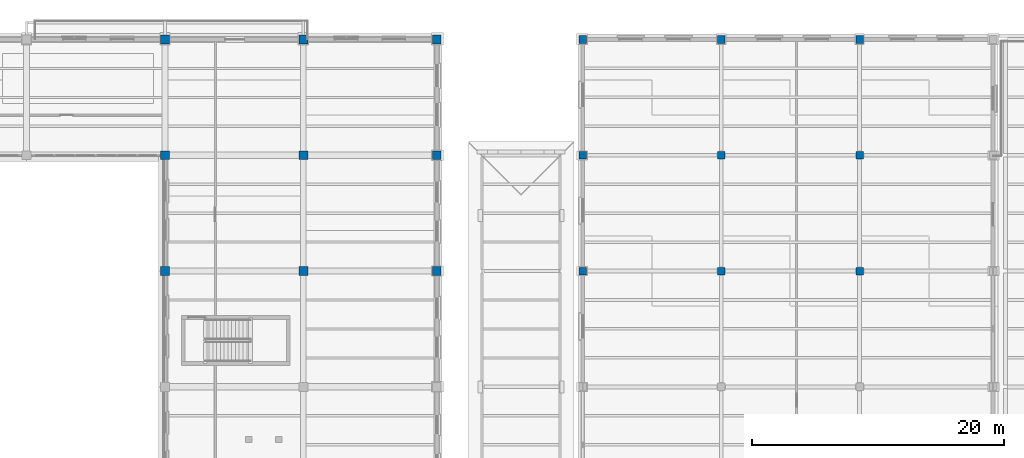
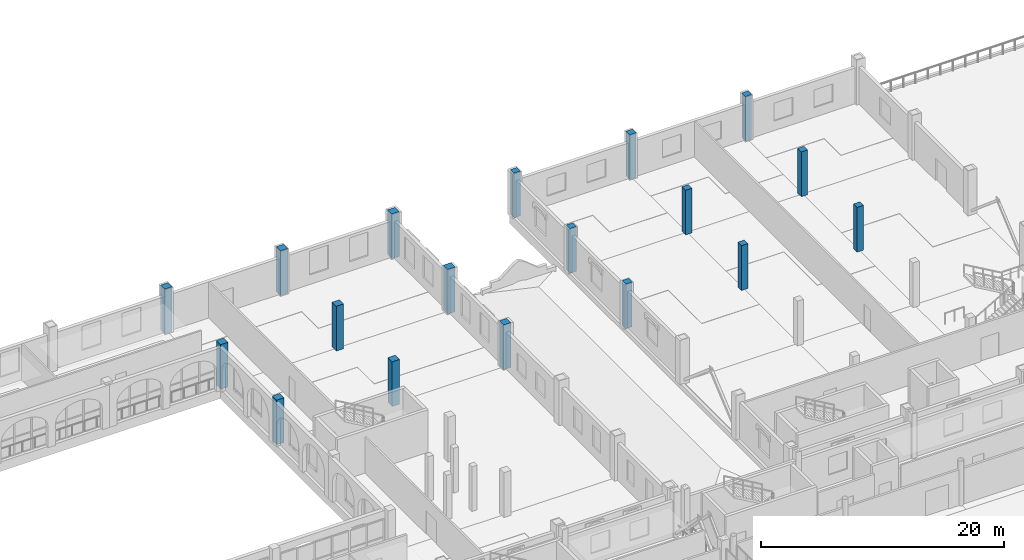
# One storey, part 9 of 156: 18 columns.
"""IFC4 building model written with IfcOpenShell, lengths in metres."""

import ifcopenshell
import ifcopenshell.guid

model = None  # the IFC model being written
_history = None  # IfcOwnerHistory: only IFC2X3 demands one
_inside = {}  # id of a spatial element -> (the spatial element, [elements in it])
_under = {}  # id of a project, library or spatial element -> (it, [spatial elements below it])
_declared = {}  # id of a project -> (the project, [libraries it declares])
_typed = {}  # id of a type object -> (the type object, [elements of that type])
_made_of = {}  # id of a material, layer set ... -> (it, [elements and type objects made of it])


def new_model(schema):
    """Start an empty IFC model of exactly this schema.

    Asked for "IFC4X3", IfcOpenShell would pick the latest addendum, in which some entities
    have other attributes; the version numbers below select the first issue.
    IFC2X3 requires an IfcOwnerHistory on every rooted entity: one is made here for all.
    """
    global model, _history
    if schema == "IFC4X3":
        model = ifcopenshell.file(schema_version=(4, 3, 0, 0))
    else:
        model = ifcopenshell.file(schema=schema)
    _inside.clear()
    _under.clear()
    _declared.clear()
    _typed.clear()
    _made_of.clear()
    _history = None
    if model.schema == "IFC2X3":
        org = make("IfcOrganization", Name="unknown")
        user = make(
            "IfcPersonAndOrganization",
            ThePerson=make("IfcPerson", FamilyName="unknown"),
            TheOrganization=org,
        )
        app = make(
            "IfcApplication",
            ApplicationDeveloper=org,
            Version="unknown",
            ApplicationFullName="unknown",
            ApplicationIdentifier="unknown",
        )
        _history = make(
            "IfcOwnerHistory",
            OwningUser=user,
            OwningApplication=app,
            ChangeAction="ADDED",
            CreationDate=0,
        )
    return model


def make(cls, **values):
    """One entity of the class cls with the attributes given. An attribute that is None is left unset."""
    return model.create_entity(
        cls, **{name: value for name, value in values.items() if value is not None}
    )


def rooted(cls, **values):
    """An entity with a GlobalId (a new one), such as an element, a storey or a relation."""
    return make(cls, GlobalId=ifcopenshell.guid.new(), OwnerHistory=_history, **values)


def si_unit(unit_type, name, prefix=None):
    """IfcSIUnit, for example si_unit("LENGTHUNIT", "METRE", prefix="MILLI")."""
    return make("IfcSIUnit", UnitType=unit_type, Prefix=prefix, Name=name)


def assignment(units):
    """IfcUnitAssignment: the units of a project."""
    return None if units is None else make("IfcUnitAssignment", Units=units)


def point(xyz):
    """IfcCartesianPoint."""
    return None if xyz is None else make("IfcCartesianPoint", Coordinates=xyz)


def direction(xyz):
    """IfcDirection."""
    return None if xyz is None else make("IfcDirection", DirectionRatios=xyz)


def frame(location, z_axis=None, x_axis=None):
    """IfcAxis2Placement3D, a coordinate frame: its origin and axes. An axis left out is left unset."""
    return make(
        "IfcAxis2Placement3D",
        Location=point(location),
        Axis=direction(z_axis),
        RefDirection=direction(x_axis),
    )


def frame_2d(location, x_axis=None):
    """IfcAxis2Placement2D, a coordinate frame in the plane: its origin and x axis."""
    return make(
        "IfcAxis2Placement2D", Location=point(location), RefDirection=direction(x_axis)
    )


def origin():
    """The frame at (0, 0, 0) with its axes left unset."""
    return frame((0.0, 0.0, 0.0))


def origin_2d():
    """The frame at (0, 0) in the plane with its x axis left unset."""
    return frame_2d((0.0, 0.0))


def place(relative_to, where):
    """IfcLocalPlacement: puts the frame where relative to a parent placement (None: the world)."""
    return make(
        "IfcLocalPlacement", PlacementRelTo=relative_to, RelativePlacement=where
    )


def context(
    kind, dimensions, precision=None, world=None, true_north=None, identifier=None
):
    """IfcGeometricRepresentationContext, for example the 3D "Model" context."""
    return make(
        "IfcGeometricRepresentationContext",
        ContextIdentifier=identifier,
        ContextType=kind,
        CoordinateSpaceDimension=dimensions,
        Precision=precision,
        WorldCoordinateSystem=world,
        TrueNorth=true_north,
    )


def subcontext(parent, identifier, kind, view, scale=None):
    """IfcGeometricRepresentationSubContext, for example "Body" below "Model"."""
    return make(
        "IfcGeometricRepresentationSubContext",
        ContextIdentifier=identifier,
        ContextType=kind,
        ParentContext=parent,
        TargetScale=scale,
        TargetView=view,
    )


def project(units=None, contexts=None):
    """IfcProject with its units and contexts."""
    return rooted(
        "IfcProject",
        Name="project",
        RepresentationContexts=contexts,
        UnitsInContext=assignment(units),
    )


def spatial(cls, under=None, at=None, **own):
    """A site, building, storey or space (cls), placed at a placement, below another one or the project."""
    s = rooted(cls, ObjectPlacement=at, **own)
    if under is not None:
        _under.setdefault(under.id(), (under, []))[1].append(s)
    return s


def profile(cls, at=None, kind="AREA", **sizes):
    """A parametric profile (cls). Its sizes go by their IFC names, for example OverallWidth=200.0."""
    return make(cls, ProfileType=kind, Position=at, **sizes)


def rectangle(**sizes):
    """IfcRectangleProfileDef."""
    return profile("IfcRectangleProfileDef", **sizes)


def extrude(swept, where, along, depth):
    """IfcExtrudedAreaSolid: the profile swept, set in the frame where, extruded along a direction by depth."""
    return make(
        "IfcExtrudedAreaSolid",
        SweptArea=swept,
        Position=where,
        ExtrudedDirection=direction(along),
        Depth=depth,
    )


def shape(context_of_items, identifier, shape_type, items):
    """IfcShapeRepresentation: the items that make up one representation, for example the "Body"."""
    return make(
        "IfcShapeRepresentation",
        ContextOfItems=context_of_items,
        RepresentationIdentifier=identifier,
        RepresentationType=shape_type,
        Items=items,
    )


def material(Name=None, Category=None):
    """IfcMaterial."""
    return make("IfcMaterial", Name=Name, Category=Category)


def material_profile(
    of_material, cross_section, Name=None, Category=None, Priority=None
):
    """IfcMaterialProfile: a cross section and its material."""
    return make(
        "IfcMaterialProfile",
        Name=Name,
        Material=of_material,
        Profile=cross_section,
        Priority=Priority,
        Category=Category,
    )


def profile_set(profiles, Name=None, composite=None):
    """IfcMaterialProfileSet."""
    return make(
        "IfcMaterialProfileSet",
        Name=Name,
        MaterialProfiles=profiles,
        CompositeProfile=composite,
    )


def made_of(thing, what):
    """Note that an element or type object is made of a material, layer set ...; save() writes the relation."""
    if what is not None:
        _made_of.setdefault(what.id(), (what, []))[1].append(thing)
    return thing


def type_object(cls, material=None, **own):
    """A type object (cls), such as IfcWallType, which elements share."""
    return made_of(rooted(cls, **own), material)


def element(
    cls,
    number,
    at=None,
    inside=None,
    cuts=None,
    type_object=None,
    material=None,
    context=None,
    identifier="Body",
    shape_type=None,
    held_by="IfcProductDefinitionShape",
    body=None,
    shapes=None,
    **own,
):
    """One element of the class cls, such as IfcWall. Its Tag is "e" and its number.

    at: its placement. inside: the storey or other place that contains it. cuts: it is an
    opening in that element (IfcRelVoidsElement). A single representation is given by context,
    identifier, shape_type and body (its items); several are given by shapes. held_by: the class
    of the entity that holds the representations. save() writes the other relations.
    """
    e = rooted(cls, Tag="e%d" % number, ObjectPlacement=at, **own)
    if body is not None:
        shapes = [shape(context, identifier, shape_type, body)]
    if shapes is not None:
        e.Representation = make(held_by, Representations=shapes)
    if inside is not None:
        _inside.setdefault(inside.id(), (inside, []))[1].append(e)
    if cuts is not None:
        rooted(
            "IfcRelVoidsElement", RelatingBuildingElement=cuts, RelatedOpeningElement=e
        )
    if type_object is not None:
        _typed.setdefault(type_object.id(), (type_object, []))[1].append(e)
    return made_of(e, material)


def aggregate(whole, parts):
    """IfcRelAggregates: a whole, such as a stair, and the parts it consists of."""
    return rooted("IfcRelAggregates", RelatingObject=whole, RelatedObjects=parts)


def save(model, path):
    """Write the relations noted so far, then the file.

    IfcRelAggregates (storeys below a building ...), IfcRelContainedInSpatialStructure (elements
    in a storey), IfcRelDefinesByType, IfcRelAssociatesMaterial and IfcRelDeclares: one each for
    every whole, place, type object, material and project.
    """
    for whole, parts in _under.values():
        aggregate(whole, parts)
    for where, things in _inside.values():
        rooted(
            "IfcRelContainedInSpatialStructure",
            RelatedElements=things,
            RelatingStructure=where,
        )
    for kind, things in _typed.values():
        rooted("IfcRelDefinesByType", RelatedObjects=things, RelatingType=kind)
    for what, things in _made_of.values():
        rooted("IfcRelAssociatesMaterial", RelatedObjects=things, RelatingMaterial=what)
    for by, libraries in _declared.values():
        rooted("IfcRelDeclares", RelatingContext=by, RelatedDefinitions=libraries)
    model.write(path)


model = new_model("IFC4")

# Units and contexts
model_context = context("Model", 3, precision=1e-05, world=origin(), true_north=direction((0.0, 1.0)))
body_context = subcontext(model_context, "Body", "Model", "MODEL_VIEW")
ifc_project = project(units=[si_unit("LENGTHUNIT", "METRE"), si_unit("AREAUNIT", "SQUARE_METRE"), si_unit("VOLUMEUNIT", "CUBIC_METRE"), si_unit("PLANEANGLEUNIT", "RADIAN"), si_unit("MASSUNIT", "GRAM", prefix="KILO")], contexts=[model_context])

# Site, building, storey
site_placement = place(None, origin())
site = spatial("IfcSite", under=ifc_project, at=site_placement, CompositionType="ELEMENT")
building_placement = place(site_placement, origin())
building = spatial("IfcBuilding", under=site, at=building_placement, Name="Caurita Quay Ferry Terminal", CompositionType="ELEMENT")
storey_placement = place(building_placement, frame((0.0, 0.0, 5.39990234375)))
storey = spatial("IfcBuildingStorey", under=building, at=storey_placement, Name="L01", CompositionType="ELEMENT", Elevation=5.39990234375)

# Columns
ifc_material = material(Name="Reinforced concrete C35/45", Category="concrete")
ifc_material_profile_1 = material_profile(ifc_material, rectangle(XDim=0.60009765625, YDim=0.60009765625, at=origin_2d()), Name="RC-COL-600X600")
ifc_profile_set_1 = profile_set([ifc_material_profile_1], Name="Reinforced concrete C35/45")
column_type_1 = type_object("IfcColumnType", Name="COL-RC-600", PredefinedType="COLUMN", material=ifc_profile_set_1)
for number, where, z_axis, x_axis, name in (
    (1, (99.199951171875, 98.60009765625, 0.0), (0.0, 0.0, 1.0), (1.0, 0.0, 0.0), "L01 Column V4-11-P"),
    (2, (99.199951171875, 107.800048828125, 0.0), (0.0, 0.0, 1.0), (1.0, 0.0, 0.0), "L01 Column V4-11-Q"),
    (3, (99.199951171875, 117.0, 0.0), (0.0, 0.0, 1.0), (1.0, 0.0, 0.0), "L01 Column V4-11-R"),
    (4, (110.199951171875, 98.60009765625, 0.0), (0.0, 0.0, 1.0), (1.0, 0.0, 0.0), "L01 Column V4-12-P"),
    (5, (110.199951171875, 107.800048828125, 0.0), (0.0, 0.0, 1.0), (1.0, 0.0, 0.0), "L01 Column V4-12-Q"),
    (6, (110.199951171875, 117.0, 0.0), (0.0, 0.0, 1.0), (1.0, 0.0, 0.0), "L01 Column V4-12-R"),
    (7, (121.199951171875, 98.60009765625, 0.0), (0.0, 0.0, 1.0), (1.0, 0.0, 0.0), "L01 Column V4-13-P"),
    (8, (121.199951171875, 107.800048828125, 0.0), (0.0, 0.0, 1.0), (1.0, 0.0, 0.0), "L01 Column V4-13-Q"),
    (9, (121.199951171875, 117.0, 0.0), (0.0, 0.0, 1.0), (1.0, 0.0, 0.0), "L01 Column V4-13-R"),
):
    element("IfcColumn", number, at=place(storey_placement, frame(where, z_axis=z_axis, x_axis=x_axis)), inside=storey, type_object=column_type_1, Name=name, PredefinedType="COLUMN", context=body_context, shape_type="SweptSolid", body=[
        extrude(rectangle(XDim=0.60009765625, YDim=0.60009765625, at=origin_2d()), origin(), (0.0, 0.0, 1.0), 4.5),
    ])
ifc_material_profile_2 = material_profile(ifc_material, rectangle(XDim=0.699951171875, YDim=0.699951171875, at=origin_2d()), Name="RC-COL-700X700")
ifc_profile_set_2 = profile_set([ifc_material_profile_2], Name="Reinforced concrete C35/45")
column_type_2 = type_object("IfcColumnType", Name="COL-RC-700", PredefinedType="COLUMN", material=ifc_profile_set_2)
for number, where, z_axis, x_axis, name in (
    (10, (66.0, 98.60009765625, 0.0), (0.0, 0.0, 1.0), (1.0, 0.0, 0.0), "L01 Column V5-07-P"),
    (11, (66.0, 107.800048828125, 0.0), (0.0, 0.0, 1.0), (1.0, 0.0, 0.0), "L01 Column V5-07-Q"),
    (12, (66.0, 117.0, 0.0), (0.0, 0.0, 1.0), (1.0, 0.0, 0.0), "L01 Column V5-07-R"),
    (13, (77.0, 98.60009765625, 0.0), (0.0, 0.0, 1.0), (1.0, 0.0, 0.0), "L01 Column V5-08-P"),
    (14, (77.0, 107.800048828125, 0.0), (0.0, 0.0, 1.0), (1.0, 0.0, 0.0), "L01 Column V5-08-Q"),
    (15, (77.0, 117.0, 0.0), (0.0, 0.0, 1.0), (1.0, 0.0, 0.0), "L01 Column V5-08-R"),
    (16, (87.60009765625, 98.60009765625, 0.0), (0.0, 0.0, 1.0), (1.0, 0.0, 0.0), "L01 Column V5-09-P"),
    (17, (87.60009765625, 107.800048828125, 0.0), (0.0, 0.0, 1.0), (1.0, 0.0, 0.0), "L01 Column V5-09-Q"),
    (18, (87.60009765625, 117.0, 0.0), (0.0, 0.0, 1.0), (1.0, 0.0, 0.0), "L01 Column V5-09-R"),
):
    element("IfcColumn", number, at=place(storey_placement, frame(where, z_axis=z_axis, x_axis=x_axis)), inside=storey, type_object=column_type_2, Name=name, PredefinedType="COLUMN", context=body_context, shape_type="SweptSolid", body=[
        extrude(rectangle(XDim=0.699951171875, YDim=0.699951171875, at=origin_2d()), origin(), (0.0, 0.0, 1.0), 4.5),
    ])

save(model, "model.ifc")
